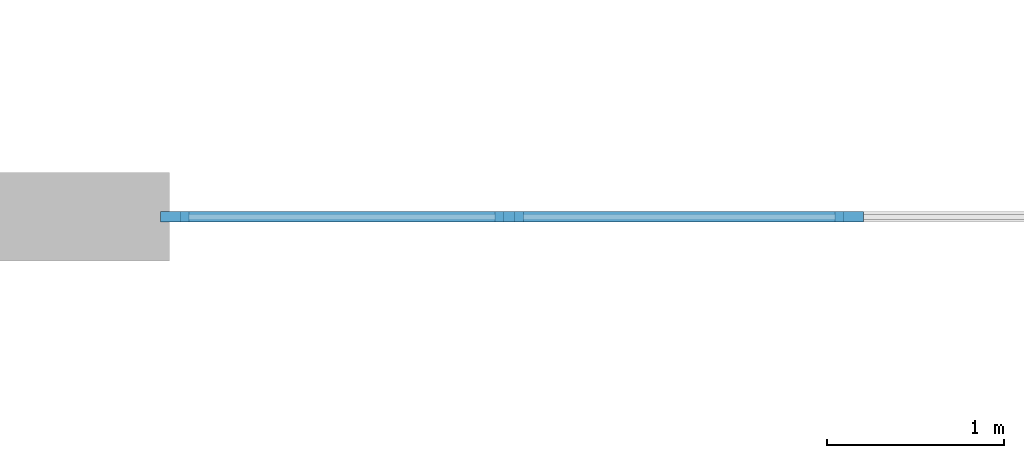
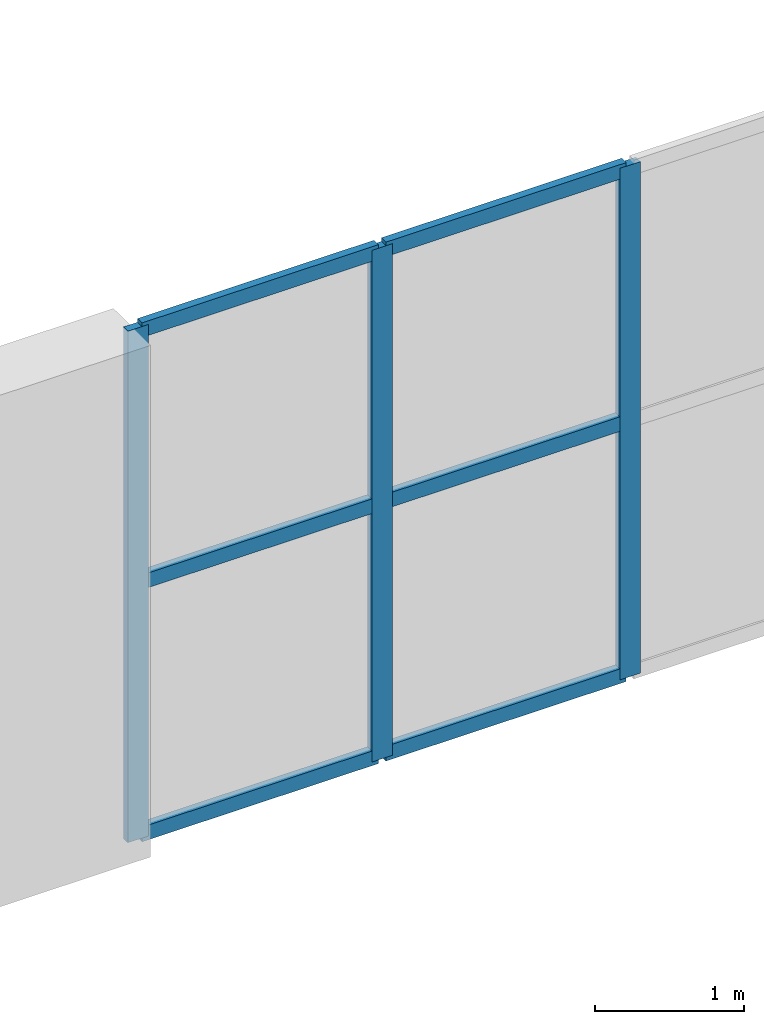
# One storey, part 13 of 51: 9 members, 1 element without a shape of its own.
"""IFC4 building model written with IfcOpenShell, lengths in metres."""

from ifc_helpers import new_model, si_unit, direction, frame, origin, origin_2d, place, context, subcontext, project, spatial, rectangle, extrude, material, layer, layer_set, material_profile, profile_set, type_object, element, aggregate, save


model = new_model("IFC4")

# Units and contexts
model_context = context("Model", 3, precision=1e-05, world=origin(), true_north=direction((0.0, 1.0)))
body_context = subcontext(model_context, "Body", "Model", "MODEL_VIEW")
ifc_project = project(units=[si_unit("LENGTHUNIT", "METRE"), si_unit("AREAUNIT", "SQUARE_METRE"), si_unit("VOLUMEUNIT", "CUBIC_METRE"), si_unit("PLANEANGLEUNIT", "RADIAN"), si_unit("MASSUNIT", "GRAM", prefix="KILO")], contexts=[model_context])

# Site, building, storey
site_placement = place(None, origin())
site = spatial("IfcSite", under=ifc_project, at=site_placement, CompositionType="ELEMENT")
building_placement = place(site_placement, origin())
building = spatial("IfcBuilding", under=site, at=building_placement, Name="Cresset Court Congress Hotel", CompositionType="ELEMENT")
storey_placement = place(building_placement, frame((0.0, 0.0, 18.60009765625)))
storey = spatial("IfcBuildingStorey", under=building, at=storey_placement, Name="L04", CompositionType="ELEMENT", Elevation=18.60009765625)

# Curtain wall, members
ifc_material_1 = material(Name="Aluminium and glass", Category="aluminium")
ifc_layer = layer(ifc_material_1, 0.199951171875)
ifc_layer_set = layer_set([ifc_layer], Name="Clerestory curtain wall 1925 module")
curtain_wall_type = type_object("IfcCurtainWallType", Name="Clerestory curtain wall 1925 module", PredefinedType="NOTDEFINED", material=ifc_layer_set)
curtain_wall_placement = place(storey_placement, origin())
curtain_wall = element("IfcCurtainWall", 1, at=curtain_wall_placement, inside=storey, type_object=curtain_wall_type, Name="Clerestory CX-04S1", PredefinedType="NOTDEFINED")
ifc_material_2 = material(Name="Anodised aluminium", Category="aluminium")
ifc_material_profile_1 = material_profile(ifc_material_2, rectangle(XDim=0.06005859375, YDim=0.159912109375, at=origin_2d()), Name="AL60x160")
ifc_profile_set_1 = profile_set([ifc_material_profile_1], Name="Anodised aluminium")
member_type_1 = type_object("IfcMemberType", Name="Curtain wall mullion 60x160", PredefinedType="MULLION", material=ifc_profile_set_1)
member_1_placement = place(storey_placement, frame((67.47998046875, 58.800048828125, 0.0), z_axis=(0.0, 0.0, 1.0), x_axis=(0.0, 1.0, 0.0)))
member_1 = element("IfcMember", 2, at=member_1_placement, type_object=member_type_1, Name="C-X5 mullion 1", PredefinedType="MULLION", context=body_context, shape_type="SweptSolid", body=[
    extrude(rectangle(XDim=0.06005859375, YDim=0.159912109375, at=origin_2d()), origin(), (0.0, 0.0, 1.0), 4.199951171875),
])
member_2_placement = place(storey_placement, frame((69.375, 58.800048828125, 0.0), z_axis=(0.0, 0.0, 1.0), x_axis=(0.0, 1.0, 0.0)))
member_2 = element("IfcMember", 3, at=member_2_placement, type_object=member_type_1, Name="C-X5 mullion 2", PredefinedType="MULLION", context=body_context, shape_type="SweptSolid", body=[
    extrude(rectangle(XDim=0.06005859375, YDim=0.159912109375, at=origin_2d()), origin(), (0.0, 0.0, 1.0), 4.199951171875),
])
member_3_placement = place(storey_placement, frame((71.300048828125, 58.800048828125, 0.0), z_axis=(0.0, 0.0, 1.0), x_axis=(0.0, 1.0, 0.0)))
member_3 = element("IfcMember", 4, at=member_3_placement, type_object=member_type_1, Name="C-X5 mullion 3", PredefinedType="MULLION", context=body_context, shape_type="SweptSolid", body=[
    extrude(rectangle(XDim=0.06005859375, YDim=0.159912109375, at=origin_2d()), origin(), (0.0, 0.0, 1.0), 4.199951171875),
])
ifc_material_3 = material(Name="Anodised aluminium", Category="aluminium")
ifc_material_profile_2 = material_profile(ifc_material_3, rectangle(XDim=0.06005859375, YDim=0.1201171875, at=origin_2d()), Name="AL60x120")
ifc_profile_set_2 = profile_set([ifc_material_profile_2], Name="Anodised aluminium")
member_type_2 = type_object("IfcMemberType", Name="Curtain wall transom 60x120", PredefinedType="USERDEFINED", material=ifc_profile_set_2)
member_4_placement = place(storey_placement, frame((67.510009765625, 58.800048828125, 0.02978515625), z_axis=(1.0, 0.0, 0.0), x_axis=(0.0, 1.0, 0.0)))
member_4 = element("IfcMember", 5, at=member_4_placement, type_object=member_type_2, Name="C-X5 transom 1.1", ObjectType="TRANSOM", PredefinedType="USERDEFINED", context=body_context, shape_type="SweptSolid", body=[
    extrude(rectangle(XDim=0.06005859375, YDim=0.1201171875, at=origin_2d()), origin(), (0.0, 0.0, 1.0), 1.8349609375),
])
member_5_placement = place(storey_placement, frame((67.510009765625, 58.800048828125, 2.099853515625), z_axis=(1.0, 0.0, 0.0), x_axis=(0.0, 1.0, 0.0)))
member_5 = element("IfcMember", 6, at=member_5_placement, type_object=member_type_2, Name="C-X5 transom 1.2", ObjectType="TRANSOM", PredefinedType="USERDEFINED", context=body_context, shape_type="SweptSolid", body=[
    extrude(rectangle(XDim=0.06005859375, YDim=0.1201171875, at=origin_2d()), origin(), (0.0, 0.0, 1.0), 1.8349609375),
])
member_6_placement = place(storey_placement, frame((67.510009765625, 58.800048828125, 4.169921875), z_axis=(1.0, 0.0, 0.0), x_axis=(0.0, 1.0, 0.0)))
member_6 = element("IfcMember", 7, at=member_6_placement, type_object=member_type_2, Name="C-X5 transom 1.3", ObjectType="TRANSOM", PredefinedType="USERDEFINED", context=body_context, shape_type="SweptSolid", body=[
    extrude(rectangle(XDim=0.06005859375, YDim=0.1201171875, at=origin_2d()), origin(), (0.0, 0.0, 1.0), 1.8349609375),
])
member_7_placement = place(storey_placement, frame((69.405029296875, 58.800048828125, 0.02978515625), z_axis=(1.0, 0.0, 0.0), x_axis=(0.0, 1.0, 0.0)))
member_7 = element("IfcMember", 8, at=member_7_placement, type_object=member_type_2, Name="C-X5 transom 2.1", ObjectType="TRANSOM", PredefinedType="USERDEFINED", context=body_context, shape_type="SweptSolid", body=[
    extrude(rectangle(XDim=0.06005859375, YDim=0.1201171875, at=origin_2d()), origin(), (0.0, 0.0, 1.0), 1.864990234375),
])
member_8_placement = place(storey_placement, frame((69.405029296875, 58.800048828125, 2.099853515625), z_axis=(1.0, 0.0, 0.0), x_axis=(0.0, 1.0, 0.0)))
member_8 = element("IfcMember", 9, at=member_8_placement, type_object=member_type_2, Name="C-X5 transom 2.2", ObjectType="TRANSOM", PredefinedType="USERDEFINED", context=body_context, shape_type="SweptSolid", body=[
    extrude(rectangle(XDim=0.06005859375, YDim=0.1201171875, at=origin_2d()), origin(), (0.0, 0.0, 1.0), 1.864990234375),
])
member_9_placement = place(storey_placement, frame((69.405029296875, 58.800048828125, 4.169921875), z_axis=(1.0, 0.0, 0.0), x_axis=(0.0, 1.0, 0.0)))
member_9 = element("IfcMember", 10, at=member_9_placement, type_object=member_type_2, Name="C-X5 transom 2.3", ObjectType="TRANSOM", PredefinedType="USERDEFINED", context=body_context, shape_type="SweptSolid", body=[
    extrude(rectangle(XDim=0.06005859375, YDim=0.1201171875, at=origin_2d()), origin(), (0.0, 0.0, 1.0), 1.864990234375),
])
aggregate(curtain_wall, [member_1, member_2, member_3, member_4, member_5, member_6, member_7, member_8, member_9])

save(model, "model.ifc")
